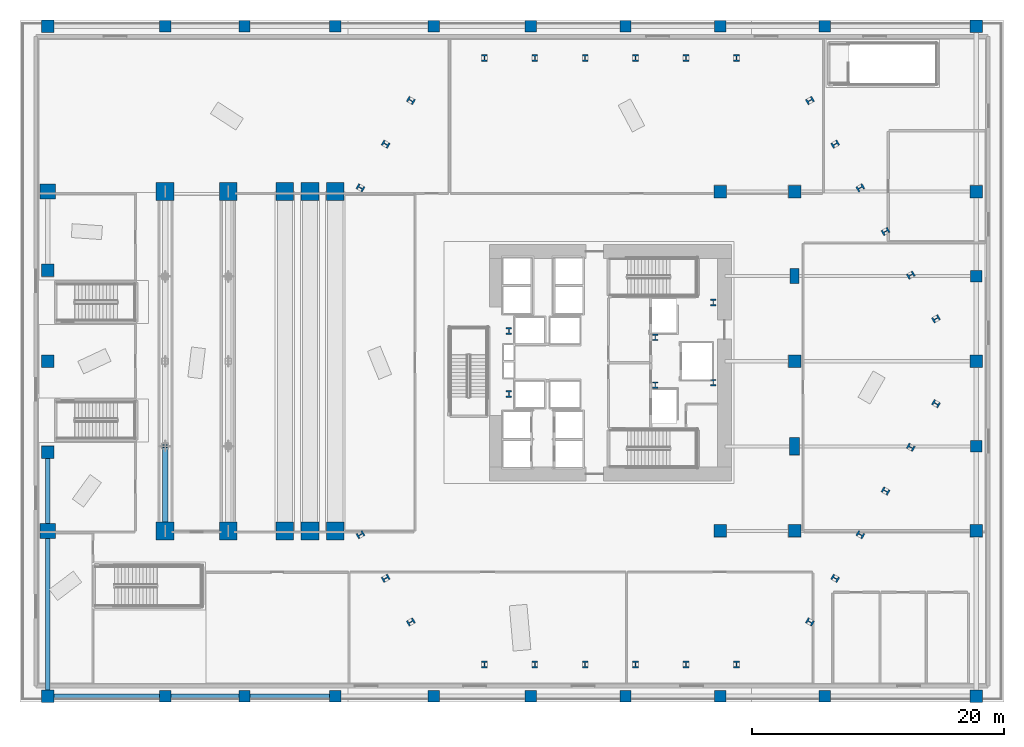
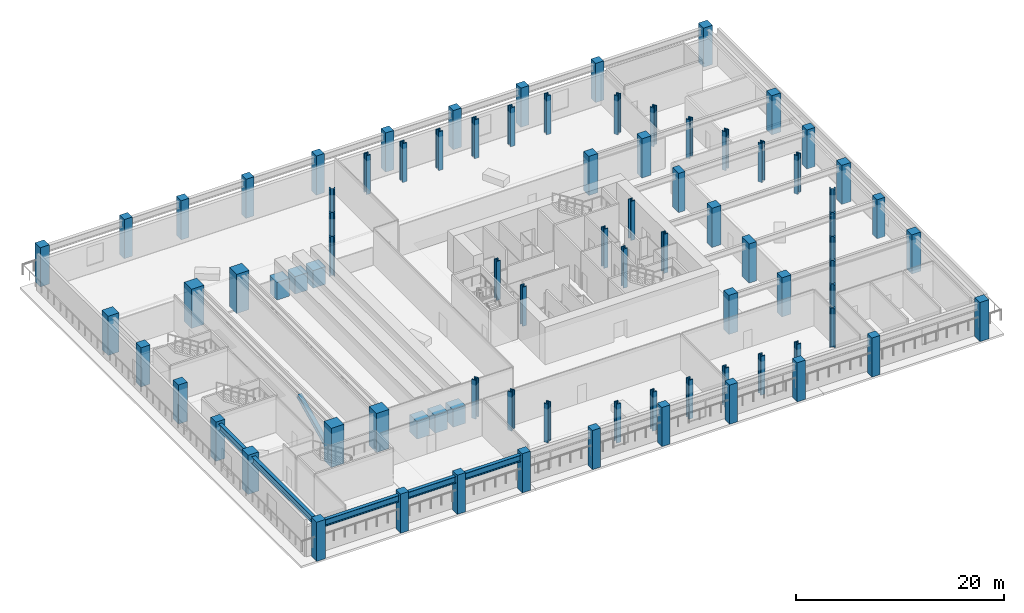
# One storey, part 1 of 24: 83 columns, 2 beams, 1 member.
"""IFC4 building model written with IfcOpenShell, lengths in metres."""

from ifc_helpers import new_model, si_unit, direction, frame, origin, origin_2d, place, context, subcontext, project, spatial, rectangle, i_section, extrude, material, material_profile, profile_set, type_object, element, save


model = new_model("IFC4")

# Units and contexts
model_context = context("Model", 3, precision=1e-05, world=origin(), true_north=direction((0.0, 1.0)))
body_context = subcontext(model_context, "Body", "Model", "MODEL_VIEW")
ifc_project = project(units=[si_unit("LENGTHUNIT", "METRE"), si_unit("AREAUNIT", "SQUARE_METRE"), si_unit("VOLUMEUNIT", "CUBIC_METRE"), si_unit("PLANEANGLEUNIT", "RADIAN"), si_unit("MASSUNIT", "GRAM", prefix="KILO")], contexts=[model_context])

# Site, building, storey
site_placement = place(None, origin())
site = spatial("IfcSite", under=ifc_project, at=site_placement, CompositionType="ELEMENT")
building_placement = place(site_placement, origin())
building = spatial("IfcBuilding", under=site, at=building_placement, Name="Valkerne Bourse Tower", CompositionType="ELEMENT")
storey_placement = place(building_placement, frame((0.0, 0.0, 19.39990234375)))
storey = spatial("IfcBuildingStorey", under=building, at=storey_placement, Name="L04", CompositionType="ELEMENT", Elevation=19.39990234375)

# Columns
ifc_material_1 = material(Name="Concrete C70/85", Category="concrete")
ifc_material_profile_1 = material_profile(ifc_material_1, rectangle(XDim=1.0, YDim=1.0, at=origin_2d()), Name="RC1000X1000")
ifc_profile_set_1 = profile_set([ifc_material_profile_1], Name="Concrete C70/85")
column_type_1 = type_object("IfcColumnType", Name="COL-RC1000X1000", PredefinedType="COLUMN", material=ifc_profile_set_1)
for number, where, z_axis, x_axis, name in (
    (1, (2.199951171875, 0.449951171875, 0.005126953125), (0.0, 0.0, 1.0), (1.0, 0.0, 0.0), "L04 Podium Column PW-1"),
    (2, (2.199951171875, 19.800048828125, 0.005126953125), (0.0, 0.0, 1.0), (1.0, 0.0, 0.0), "L04 Podium Column PW-3"),
    (3, (2.199951171875, 27.0, 0.005126953125), (0.0, 0.0, 1.0), (1.0, 0.0, 0.0), "L04 Podium Column PW-4"),
    (4, (2.199951171875, 34.199951171875, 0.005126953125), (0.0, 0.0, 1.0), (1.0, 0.0, 0.0), "L04 Podium Column PW-5"),
    (5, (2.199951171875, 53.550048828125, 0.005126953125), (0.0, 0.0, 1.0), (1.0, 0.0, 0.0), "L04 Podium Column PW-7"),
    (6, (75.800048828125, 0.449951171875, 0.005126953125), (0.0, 0.0, 1.0), (1.0, 0.0, 0.0), "L04 Podium Column PS-9"),
    (7, (75.800048828125, 53.550048828125, 0.005126953125), (0.0, 0.0, 1.0), (1.0, 0.0, 0.0), "L04 Podium Column PN-9"),
    (8, (75.800048828125, 13.550048828125, 0.005126953125), (0.0, 0.0, 1.0), (1.0, 0.0, 0.0), "L04 Podium Column PE-1"),
    (9, (75.800048828125, 27.0, 0.005126953125), (0.0, 0.0, 1.0), (1.0, 0.0, 0.0), "L04 Podium Column PE-3"),
    (10, (75.800048828125, 40.449951171875, 0.005126953125), (0.0, 0.0, 1.0), (1.0, 0.0, 0.0), "L04 Podium Column PE-5"),
    (11, (55.5, 13.550048828125, 0.005126953125), (0.0, 0.0, 1.0), (1.0, 0.0, 0.0), "L04 Podium Column PI-C1"),
    (12, (55.5, 40.449951171875, 0.005126953125), (0.0, 0.0, 1.0), (1.0, 0.0, 0.0), "L04 Podium Column PI-C2"),
    (13, (61.39990234375, 13.550048828125, 0.005126953125), (0.0, 0.0, 1.0), (1.0, 0.0, 0.0), "L04 Podium Column PI-E1"),
    (14, (61.39990234375, 27.0, 0.005126953125), (0.0, 0.0, 1.0), (1.0, 0.0, 0.0), "L04 Podium Column PI-E3"),
    (15, (61.39990234375, 40.449951171875, 0.005126953125), (0.0, 0.0, 1.0), (1.0, 0.0, 0.0), "L04 Podium Column PI-E5"),
):
    element("IfcColumn", number, at=place(storey_placement, frame(where, z_axis=z_axis, x_axis=x_axis)), inside=storey, type_object=column_type_1, Name=name, PredefinedType="COLUMN", context=body_context, shape_type="SweptSolid", body=[
        extrude(rectangle(XDim=1.0, YDim=1.0, at=origin_2d()), origin(), (0.0, 0.0, 1.0), 4.594970703125),
    ])
ifc_material_profile_2 = material_profile(ifc_material_1, rectangle(XDim=1.199951171875, YDim=1.199951171875, at=origin_2d()), Name="RC1200X1200")
ifc_profile_set_2 = profile_set([ifc_material_profile_2], Name="Concrete C70/85")
column_type_2 = type_object("IfcColumnType", Name="COL-RC1200X1200", PredefinedType="COLUMN", material=ifc_profile_set_2)
for number, where, z_axis, x_axis, name in (
    (16, (2.199951171875, 13.550048828125, 0.005126953125), (0.0, 0.0, 1.0), (1.0, 0.0, 0.0), "L04 Podium Column PW-2"),
    (17, (2.199951171875, 40.449951171875, 0.005126953125), (0.0, 0.0, 1.0), (1.0, 0.0, 0.0), "L04 Podium Column PW-6"),
):
    element("IfcColumn", number, at=place(storey_placement, frame(where, z_axis=z_axis, x_axis=x_axis)), inside=storey, type_object=column_type_2, Name=name, PredefinedType="COLUMN", context=body_context, shape_type="SweptSolid", body=[
        extrude(rectangle(XDim=1.199951171875, YDim=1.199951171875, at=origin_2d()), origin(), (0.0, 0.0, 1.0), 4.594970703125),
    ])
ifc_material_profile_3 = material_profile(ifc_material_1, rectangle(XDim=1.39990234375, YDim=1.39990234375, at=origin_2d()), Name="RC1400X1400")
ifc_profile_set_3 = profile_set([ifc_material_profile_3], Name="Concrete C70/85")
column_type_3 = type_object("IfcColumnType", Name="COL-RC1400X1400", PredefinedType="COLUMN", material=ifc_profile_set_3)
for number, where, z_axis, x_axis, name in (
    (18, (11.5, 13.550048828125, 0.005126953125), (0.0, 0.0, 1.0), (1.0, 0.0, 0.0), "L04 Podium Column MC-S1"),
    (19, (11.5, 40.449951171875, 0.005126953125), (0.0, 0.0, 1.0), (1.0, 0.0, 0.0), "L04 Podium Column MC-N1"),
    (20, (16.5, 13.550048828125, 0.005126953125), (0.0, 0.0, 1.0), (1.0, 0.0, 0.0), "L04 Podium Column MC-S2"),
    (21, (16.5, 40.449951171875, 0.005126953125), (0.0, 0.0, 1.0), (1.0, 0.0, 0.0), "L04 Podium Column MC-N2"),
):
    element("IfcColumn", number, at=place(storey_placement, frame(where, z_axis=z_axis, x_axis=x_axis)), inside=storey, type_object=column_type_3, Name=name, PredefinedType="COLUMN", context=body_context, shape_type="SweptSolid", body=[
        extrude(rectangle(XDim=1.39990234375, YDim=1.39990234375, at=origin_2d()), origin(), (0.0, 0.0, 1.0), 4.594970703125),
    ])
for number, where, z_axis, x_axis, name in (
    (22, (20.991943359375, 13.550048828125, 0.005126953125), (0.0, 0.0, 1.0), (1.0, 0.0, 0.0), "L04 Podium Column MCH-S1"),
    (23, (20.991943359375, 40.449951171875, 0.005126953125), (0.0, 0.0, 1.0), (1.0, 0.0, 0.0), "L04 Podium Column MCH-N1"),
    (24, (22.990966796875, 13.550048828125, 0.005126953125), (0.0, 0.0, 1.0), (1.0, 0.0, 0.0), "L04 Podium Column MCH-S2"),
    (25, (22.990966796875, 40.449951171875, 0.005126953125), (0.0, 0.0, 1.0), (1.0, 0.0, 0.0), "L04 Podium Column MCH-N2"),
    (26, (24.988037109375, 13.550048828125, 0.005126953125), (0.0, 0.0, 1.0), (1.0, 0.0, 0.0), "L04 Podium Column MCH-S3"),
    (27, (24.988037109375, 40.449951171875, 0.005126953125), (0.0, 0.0, 1.0), (1.0, 0.0, 0.0), "L04 Podium Column MCH-N3"),
):
    element("IfcColumn", number, at=place(storey_placement, frame(where, z_axis=z_axis, x_axis=x_axis)), inside=storey, type_object=column_type_3, Name=name, PredefinedType="COLUMN", context=body_context, shape_type="SweptSolid", body=[
        extrude(rectangle(XDim=1.39990234375, YDim=1.39990234375, at=origin_2d()), origin(), (0.0, 0.0, 1.0), 2.070068359375),
    ])
ifc_material_profile_4 = material_profile(ifc_material_1, rectangle(XDim=0.699951171875, YDim=1.199951171875, at=origin_2d()), Name="RC700X1200")
ifc_profile_set_4 = profile_set([ifc_material_profile_4], Name="Concrete C70/85")
column_type_4 = type_object("IfcColumnType", Name="COL-RC700X1200", PredefinedType="COLUMN", material=ifc_profile_set_4)
column_1_placement = place(storey_placement, frame((61.39990234375, 33.75, 0.005126953125), z_axis=(0.0, 0.0, 1.0), x_axis=(1.0, 0.0, 0.0)))
element("IfcColumn", 28, at=column_1_placement, inside=storey, type_object=column_type_4, Name="L04 Podium Column PI-E4", PredefinedType="COLUMN", context=body_context, shape_type="SweptSolid", body=[
    extrude(rectangle(XDim=0.699951171875, YDim=1.199951171875, at=origin_2d()), origin(), (0.0, 0.0, 1.0), 4.594970703125),
])
ifc_material_profile_5 = material_profile(ifc_material_1, rectangle(XDim=0.800048828125, YDim=1.39990234375, at=origin_2d()), Name="RC800X1400")
ifc_profile_set_5 = profile_set([ifc_material_profile_5], Name="Concrete C70/85")
column_type_5 = type_object("IfcColumnType", Name="COL-RC800X1400", PredefinedType="COLUMN", material=ifc_profile_set_5)
column_2_placement = place(storey_placement, frame((61.39990234375, 20.25, 0.005126953125), z_axis=(0.0, 0.0, 1.0), x_axis=(1.0, 0.0, 0.0)))
element("IfcColumn", 29, at=column_2_placement, inside=storey, type_object=column_type_5, Name="L04 Podium Column PI-E2", PredefinedType="COLUMN", context=body_context, shape_type="SweptSolid", body=[
    extrude(rectangle(XDim=0.800048828125, YDim=1.39990234375, at=origin_2d()), origin(), (0.0, 0.0, 1.0), 4.594970703125),
])
ifc_material_profile_6 = material_profile(ifc_material_1, rectangle(XDim=0.89990234375, YDim=0.89990234375, at=origin_2d()), Name="RC900X900")
ifc_profile_set_6 = profile_set([ifc_material_profile_6], Name="Concrete C70/85")
column_type_6 = type_object("IfcColumnType", Name="COL-RC900X900", PredefinedType="COLUMN", material=ifc_profile_set_6)
for number, where, z_axis, x_axis, name in (
    (30, (11.5, 0.449951171875, 0.005126953125), (0.0, 0.0, 1.0), (1.0, 0.0, 0.0), "L04 Podium Column PS-1"),
    (31, (17.800048828125, 0.449951171875, 0.005126953125), (0.0, 0.0, 1.0), (1.0, 0.0, 0.0), "L04 Podium Column PS-2"),
    (32, (25.0, 0.449951171875, 0.005126953125), (0.0, 0.0, 1.0), (1.0, 0.0, 0.0), "L04 Podium Column PS-3"),
    (33, (32.800048828125, 0.449951171875, 0.005126953125), (0.0, 0.0, 1.0), (1.0, 0.0, 0.0), "L04 Podium Column PS-4"),
    (34, (40.5, 0.449951171875, 0.005126953125), (0.0, 0.0, 1.0), (1.0, 0.0, 0.0), "L04 Podium Column PS-5"),
    (35, (48.0, 0.449951171875, 0.005126953125), (0.0, 0.0, 1.0), (1.0, 0.0, 0.0), "L04 Podium Column PS-6"),
    (36, (55.5, 0.449951171875, 0.005126953125), (0.0, 0.0, 1.0), (1.0, 0.0, 0.0), "L04 Podium Column PS-7"),
    (37, (63.800048828125, 0.449951171875, 0.005126953125), (0.0, 0.0, 1.0), (1.0, 0.0, 0.0), "L04 Podium Column PS-8"),
    (38, (11.5, 53.550048828125, 0.005126953125), (0.0, 0.0, 1.0), (1.0, 0.0, 0.0), "L04 Podium Column PN-1"),
    (39, (17.800048828125, 53.550048828125, 0.005126953125), (0.0, 0.0, 1.0), (1.0, 0.0, 0.0), "L04 Podium Column PN-2"),
    (40, (25.0, 53.550048828125, 0.005126953125), (0.0, 0.0, 1.0), (1.0, 0.0, 0.0), "L04 Podium Column PN-3"),
    (41, (32.800048828125, 53.550048828125, 0.005126953125), (0.0, 0.0, 1.0), (1.0, 0.0, 0.0), "L04 Podium Column PN-4"),
    (42, (40.5, 53.550048828125, 0.005126953125), (0.0, 0.0, 1.0), (1.0, 0.0, 0.0), "L04 Podium Column PN-5"),
    (43, (48.0, 53.550048828125, 0.005126953125), (0.0, 0.0, 1.0), (1.0, 0.0, 0.0), "L04 Podium Column PN-6"),
    (44, (55.5, 53.550048828125, 0.005126953125), (0.0, 0.0, 1.0), (1.0, 0.0, 0.0), "L04 Podium Column PN-7"),
    (45, (63.800048828125, 53.550048828125, 0.005126953125), (0.0, 0.0, 1.0), (1.0, 0.0, 0.0), "L04 Podium Column PN-8"),
    (46, (75.800048828125, 20.25, 0.005126953125), (0.0, 0.0, 1.0), (1.0, 0.0, 0.0), "L04 Podium Column PE-2"),
    (47, (75.800048828125, 33.75, 0.005126953125), (0.0, 0.0, 1.0), (1.0, 0.0, 0.0), "L04 Podium Column PE-4"),
):
    element("IfcColumn", number, at=place(storey_placement, frame(where, z_axis=z_axis, x_axis=x_axis)), inside=storey, type_object=column_type_6, Name=name, PredefinedType="COLUMN", context=body_context, shape_type="SweptSolid", body=[
        extrude(rectangle(XDim=0.89990234375, YDim=0.89990234375, at=origin_2d()), origin(), (0.0, 0.0, 1.0), 4.594970703125),
    ])
ifc_material_2 = material(Name="Steel ASTM A913 Grade 65", Category="steel")
ifc_material_profile_7 = material_profile(ifc_material_2, i_section(OverallWidth=0.44189453125, OverallDepth=0.531005859375, WebThickness=0.06591796875, FlangeThickness=0.105712890625, FilletRadius=0.030517578125, at=origin_2d()), Name="W14X605")
ifc_profile_set_7 = profile_set([ifc_material_profile_7], Name="Steel ASTM A913 Grade 65")
column_type_7 = type_object("IfcColumnType", Name="COL-W14X605", PredefinedType="COLUMN", material=ifc_profile_set_7)
for number, where, z_axis, x_axis, name in (
    (48, (38.75, 24.39990234375, 0.005126953125), (0.0, 0.0, 1.0), (1.0, 0.0, 0.0), "L04 Core Frame Column CC-SW"),
    (49, (38.75, 29.39990234375, 0.005126953125), (0.0, 0.0, 1.0), (1.0, 0.0, 0.0), "L04 Core Frame Column CC-NW"),
    (50, (50.35009765625, 25.10009765625, 0.005126953125), (0.0, 0.0, 1.0), (1.0, 0.0, 0.0), "L04 Core Frame Column CC-CE1"),
    (51, (50.35009765625, 28.89990234375, 0.005126953125), (0.0, 0.0, 1.0), (1.0, 0.0, 0.0), "L04 Core Frame Column CC-CE2"),
    (52, (54.949951171875, 25.300048828125, 0.005126953125), (0.0, 0.0, 1.0), (1.0, 0.0, 0.0), "L04 Core Frame Column CC-SE"),
    (53, (54.949951171875, 31.64990234375, 0.005126953125), (0.0, 0.0, 1.0), (1.0, 0.0, 0.0), "L04 Core Frame Column CC-NE"),
):
    element("IfcColumn", number, at=place(storey_placement, frame(where, z_axis=z_axis, x_axis=x_axis)), inside=storey, type_object=column_type_7, Name=name, PredefinedType="COLUMN", context=body_context, shape_type="SweptSolid", body=[
        extrude(i_section(OverallWidth=0.44189453125, OverallDepth=0.531005859375, WebThickness=0.06591796875, FlangeThickness=0.105712890625, FilletRadius=0.030517578125, at=origin_2d()), origin(), (0.0, 0.0, 1.0), 4.594970703125),
    ])
ifc_material_profile_8 = material_profile(ifc_material_2, i_section(OverallWidth=0.45458984375, OverallDepth=0.569091796875, WebThickness=0.077880859375, FlangeThickness=0.124755859375, FilletRadius=0.030517578125, at=origin_2d()), Name="W14X730")
ifc_profile_set_8 = profile_set([ifc_material_profile_8], Name="Steel ASTM A913 Grade 65")
column_type_8 = type_object("IfcColumnType", Name="COL-W14X730", PredefinedType="COLUMN", material=ifc_profile_set_8)
for number, where, z_axis, x_axis, name in (
    (54, (72.607421875, 30.364501953125, 0.005126953125), (0.0, 0.0, 1.0), (-0.5, 0.866025403784, 0.0), "L04 Tower Base Mega-Column Z1B-00"),
    (55, (70.609619140625, 33.8251953125, 0.005126953125), (0.0, 0.0, 1.0), (-0.5, 0.866025403784, 0.0), "L04 Tower Base Mega-Column Z1B-01"),
    (56, (68.611572265625, 37.285888671875, 0.005126953125), (0.0, 0.0, 1.0), (-0.5, 0.866025403784, 0.0), "L04 Tower Base Mega-Column Z1B-02"),
    (57, (66.613525390625, 40.746337890625, 0.005126953125), (0.0, 0.0, 1.0), (-0.5, 0.866025403784, 0.0), "L04 Tower Base Mega-Column Z1B-03"),
    (58, (64.615478515625, 44.20703125, 0.005126953125), (0.0, 0.0, 1.0), (-0.5, 0.866025403784, 0.0), "L04 Tower Base Mega-Column Z1B-04"),
    (59, (62.617431640625, 47.667724609375, 0.005126953125), (0.0, 0.0, 1.0), (-0.5, 0.866025403784, 0.0), "L04 Tower Base Mega-Column Z1B-05"),
    (60, (56.7900390625, 51.0322265625, 0.005126953125), (0.0, 0.0, 1.0), (-1.0, 0.0, 0.0), "L04 Tower Base Mega-Column Z1B-06"),
    (61, (52.7939453125, 51.0322265625, 0.005126953125), (0.0, 0.0, 1.0), (-1.0, 0.0, 0.0), "L04 Tower Base Mega-Column Z1B-07"),
    (62, (48.798095703125, 51.0322265625, 0.005126953125), (0.0, 0.0, 1.0), (-1.0, 0.0, 0.0), "L04 Tower Base Mega-Column Z1B-08"),
    (63, (44.802001953125, 51.0322265625, 0.005126953125), (0.0, 0.0, 1.0), (-1.0, 0.0, 0.0), "L04 Tower Base Mega-Column Z1B-09"),
    (64, (40.805908203125, 51.0322265625, 0.005126953125), (0.0, 0.0, 1.0), (-1.0, 0.0, 0.0), "L04 Tower Base Mega-Column Z1B-10"),
    (65, (36.81005859375, 51.0322265625, 0.005126953125), (0.0, 0.0, 1.0), (-1.0, 0.0, 0.0), "L04 Tower Base Mega-Column Z1B-11"),
    (66, (30.982421875, 47.667724609375, 0.005126953125), (0.0, 0.0, 1.0), (-0.5, -0.866025403784, 0.0), "L04 Tower Base Mega-Column Z1B-12"),
    (67, (28.984619140625, 44.20703125, 0.005126953125), (0.0, 0.0, 1.0), (-0.5, -0.866025403784, 0.0), "L04 Tower Base Mega-Column Z1B-13"),
    (68, (26.986572265625, 40.746337890625, 0.005126953125), (0.0, 0.0, 1.0), (-0.5, -0.866025403784, 0.0), "L04 Tower Base Mega-Column Z1B-14"),
    (69, (26.986572265625, 13.253662109375, 0.005126953125), (0.0, 0.0, 1.0), (0.5, -0.866025403784, 0.0), "L04 Tower Base Mega-Column Z1B-21"),
    (70, (36.81005859375, 2.9677734375, 0.005126953125), (0.0, 0.0, 1.0), (1.0, 0.0, 0.0), "L04 Tower Base Mega-Column Z1B-24"),
    (71, (40.805908203125, 2.9677734375, 0.005126953125), (0.0, 0.0, 1.0), (1.0, 0.0, 0.0), "L04 Tower Base Mega-Column Z1B-25"),
    (72, (44.802001953125, 2.9677734375, 0.005126953125), (0.0, 0.0, 1.0), (1.0, 0.0, 0.0), "L04 Tower Base Mega-Column Z1B-26"),
    (73, (48.798095703125, 2.9677734375, 0.005126953125), (0.0, 0.0, 1.0), (1.0, 0.0, 0.0), "L04 Tower Base Mega-Column Z1B-27"),
    (74, (52.7939453125, 2.9677734375, 0.005126953125), (0.0, 0.0, 1.0), (1.0, 0.0, 0.0), "L04 Tower Base Mega-Column Z1B-28"),
    (75, (56.7900390625, 2.9677734375, 0.005126953125), (0.0, 0.0, 1.0), (1.0, 0.0, 0.0), "L04 Tower Base Mega-Column Z1B-29"),
    (76, (66.613525390625, 13.253662109375, 0.005126953125), (0.0, 0.0, 1.0), (0.5, 0.866025403784, 0.0), "L04 Tower Base Mega-Column Z1B-32"),
    (77, (68.611572265625, 16.714111328125, 0.005126953125), (0.0, 0.0, 1.0), (0.5, 0.866025403784, 0.0), "L04 Tower Base Mega-Column Z1B-33"),
    (78, (70.609619140625, 20.1748046875, 0.005126953125), (0.0, 0.0, 1.0), (0.5, 0.866025403784, 0.0), "L04 Tower Base Mega-Column Z1B-34"),
    (79, (72.607421875, 23.635498046875, 0.005126953125), (0.0, 0.0, 1.0), (0.5, 0.866025403784, 0.0), "L04 Tower Base Mega-Column Z1B-35"),
    (80, (28.984619140625, 9.79296875, 0.005126953125), (0.0, 0.0, 1.0), (0.5, -0.866025403784, 0.0), "L04 Tower Base Mega-Column Z1B-22"),
    (81, (30.982421875, 6.332275390625, 0.005126953125), (0.0, 0.0, 1.0), (0.5, -0.866025403784, 0.0), "L04 Tower Base Mega-Column Z1B-23"),
    (82, (62.617431640625, 6.332275390625, 0.005126953125), (0.0, 0.0, 1.0), (0.5, 0.866025403784, 0.0), "L04 Tower Base Mega-Column Z1B-30"),
    (83, (64.615478515625, 9.79296875, 0.005126953125), (0.0, 0.0, 1.0), (0.5, 0.866025403784, 0.0), "L04 Tower Base Mega-Column Z1B-31"),
):
    element("IfcColumn", number, at=place(storey_placement, frame(where, z_axis=z_axis, x_axis=x_axis)), inside=storey, type_object=column_type_8, Name=name, PredefinedType="COLUMN", context=body_context, shape_type="SweptSolid", body=[
        extrude(i_section(OverallWidth=0.45458984375, OverallDepth=0.569091796875, WebThickness=0.077880859375, FlangeThickness=0.124755859375, FilletRadius=0.030517578125, at=origin_2d()), origin(), (0.0, 0.0, 1.0), 4.56689453125),
    ])

# Beams
ifc_material_3 = material(Name="Steel ASTM A992", Category="steel")
ifc_material_profile_9 = material_profile(ifc_material_3, i_section(OverallWidth=0.383544921875, OverallDepth=0.784912109375, WebThickness=0.019775390625, FlangeThickness=0.033447265625, FilletRadius=0.025390625, at=origin_2d()), Name="W30X211")
ifc_profile_set_9 = profile_set([ifc_material_profile_9], Name="Steel ASTM A992")
beam_type = type_object("IfcBeamType", Name="BM-W30X211", PredefinedType="SPANDREL", material=ifc_profile_set_9)
beam_1_placement = place(storey_placement, frame((2.199951171875, 0.449951171875, 3.90771484375), z_axis=(1.0, 0.0, 0.0), x_axis=(0.0, 1.0, 0.0)))
element("IfcBeam", 84, at=beam_1_placement, inside=storey, type_object=beam_type, Name="L04 Podium Spandrel Girder S1", PredefinedType="SPANDREL", context=body_context, shape_type="SweptSolid", body=[
    extrude(i_section(OverallWidth=0.383544921875, OverallDepth=0.784912109375, WebThickness=0.019775390625, FlangeThickness=0.033447265625, FilletRadius=0.025390625, at=origin_2d()), origin(), (0.0, 0.0, 1.0), 22.800048828125),
])
beam_2_placement = place(storey_placement, frame((2.199951171875, 0.449951171875, 3.90771484375), z_axis=(0.0, 1.0, 0.0), x_axis=(-1.0, 0.0, 0.0)))
element("IfcBeam", 85, at=beam_2_placement, inside=storey, type_object=beam_type, Name="L04 Podium Spandrel Girder W1", PredefinedType="SPANDREL", context=body_context, shape_type="SweptSolid", body=[
    extrude(i_section(OverallWidth=0.383544921875, OverallDepth=0.784912109375, WebThickness=0.019775390625, FlangeThickness=0.033447265625, FilletRadius=0.025390625, at=origin_2d()), origin(), (0.0, 0.0, 1.0), 19.35009765625),
])

# Member
ifc_material_profile_10 = material_profile(ifc_material_2, i_section(OverallWidth=0.44189453125, OverallDepth=0.531005859375, WebThickness=0.06591796875, FlangeThickness=0.105712890625, FilletRadius=0.030517578125, at=origin_2d()), Name="W14X605")
ifc_profile_set_10 = profile_set([ifc_material_profile_10], Name="Steel ASTM A913 Grade 65")
member_type = type_object("IfcMemberType", Name="MBR-W14X605", PredefinedType="BRACE", material=ifc_profile_set_10)
member_placement = place(storey_placement, frame((11.5, 13.550048828125, 0.546142578125), z_axis=(0.0, 0.902041720731, 0.431648855045), x_axis=(-1.0, 0.0, 0.0)))
element("IfcMember", 86, at=member_placement, inside=storey, type_object=member_type, Name="L04 Hall Transfer Truss Diagonal X11-1", PredefinedType="BRACE", context=body_context, shape_type="SweptSolid", body=[
    extrude(i_section(OverallWidth=0.44189453125, OverallDepth=0.531005859375, WebThickness=0.06591796875, FlangeThickness=0.105712890625, FilletRadius=0.030517578125, at=origin_2d()), origin(), (0.0, 0.0, 1.0), 7.4609375),
])

save(model, "model.ifc")
